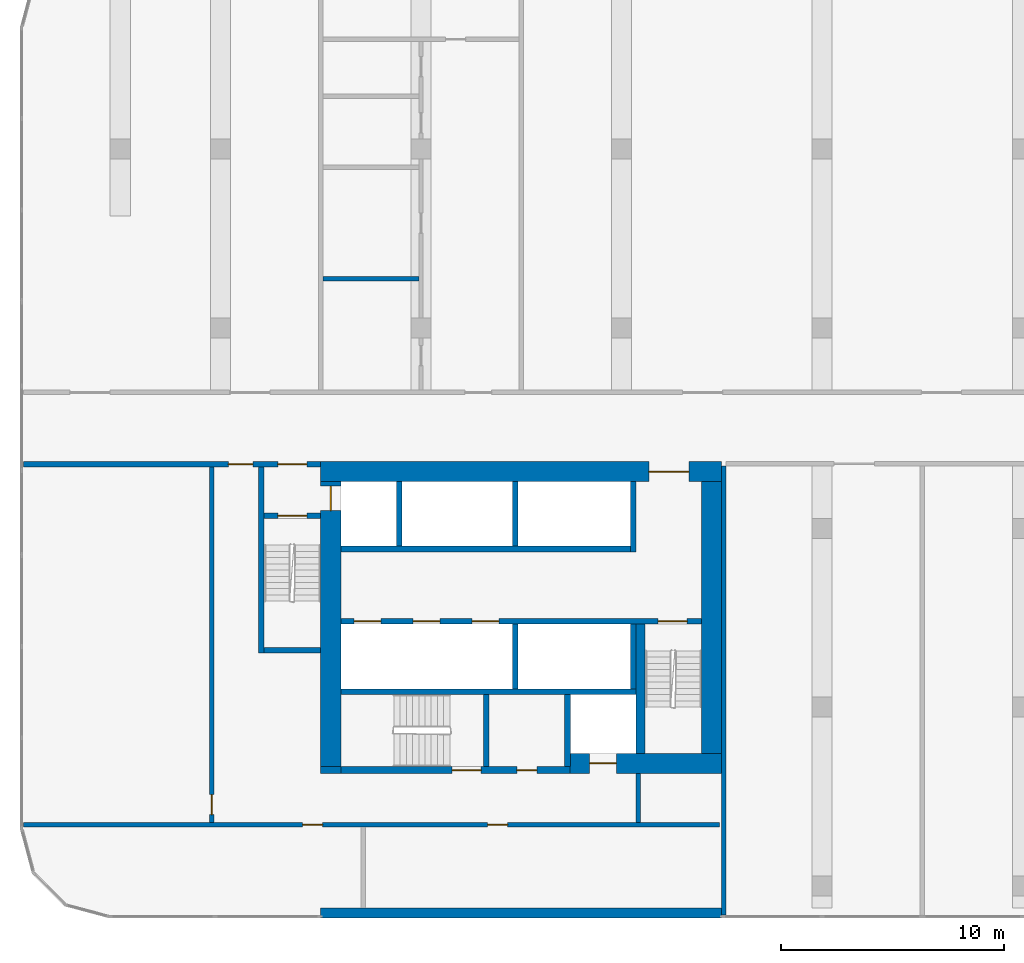
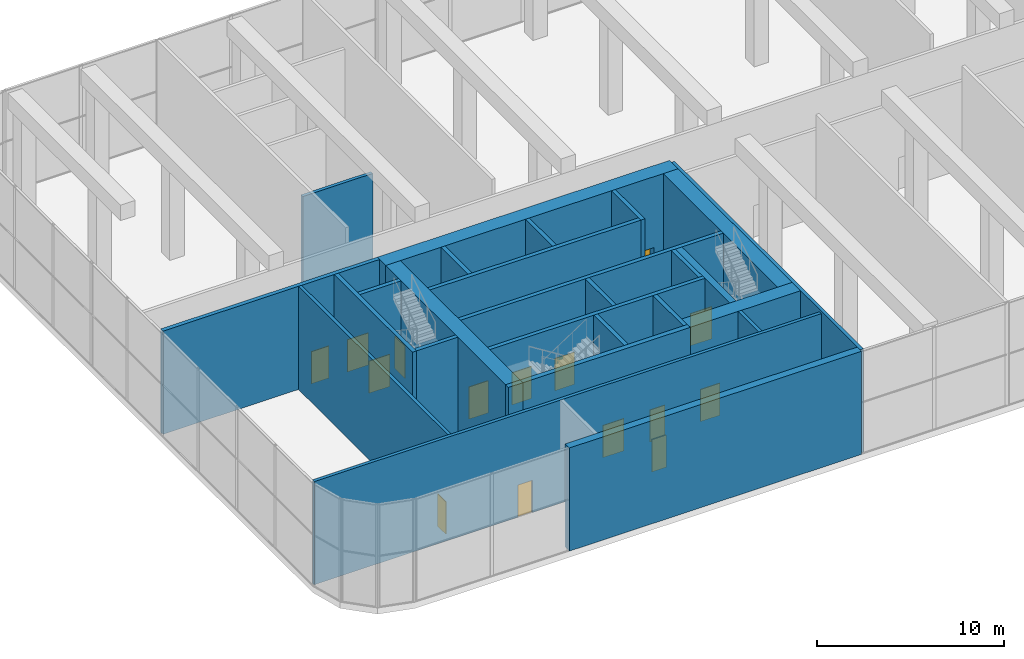
# One storey, part 12 of 23: 27 walls, 15 doors, 15 openings.
"""IFC4 building model written with IfcOpenShell, lengths in metres."""

from ifc_helpers import new_model, si_unit, direction, frame, frame_2d, origin, place, context, subcontext, project, spatial, rectangle, extrude, material, layer, layer_set, type_object, element, fill, save


model = new_model("IFC4")

# Units and contexts
model_context = context("Model", 3, precision=1e-05, world=origin(), true_north=direction((0.0, 1.0)))
body_context = subcontext(model_context, "Body", "Model", "MODEL_VIEW")
ifc_project = project(units=[si_unit("LENGTHUNIT", "METRE"), si_unit("AREAUNIT", "SQUARE_METRE"), si_unit("VOLUMEUNIT", "CUBIC_METRE"), si_unit("PLANEANGLEUNIT", "RADIAN"), si_unit("MASSUNIT", "GRAM", prefix="KILO")], contexts=[model_context])

# Site, building, storey
site_placement = place(None, origin())
site = spatial("IfcSite", under=ifc_project, at=site_placement, CompositionType="ELEMENT")
building_placement = place(site_placement, origin())
building = spatial("IfcBuilding", under=site, at=building_placement, Name="Kajstack Hotel Tower", CompositionType="ELEMENT")
storey_placement = place(building_placement, frame((0.0, 0.0, 53.0)))
storey = spatial("IfcBuildingStorey", under=building, at=storey_placement, Name="L08", CompositionType="ELEMENT", Elevation=53.0)

# Wall, opening, door
ifc_material_1 = material(Name="Concrete C60/75", Category="concrete")
ifc_layer_1 = layer(ifc_material_1, 0.89990234375)
ifc_layer_set_1 = layer_set([ifc_layer_1], Name="Core wall 900")
wall_type_1 = type_object("IfcWallType", Name="Core wall 900", PredefinedType="SHEAR", material=ifc_layer_set_1)
wall_1_placement = place(storey_placement, frame((-31.5, -1.949951171875, 0.0), z_axis=(0.0, 0.0, 1.0), x_axis=(1.0, 0.0, 0.0)))
wall_1 = element("IfcWall", 1, at=wall_1_placement, inside=storey, type_object=wall_type_1, Name="Core wall W RN", PredefinedType="SHEAR", context=body_context, shape_type="SweptSolid", body=[
    extrude(rectangle(XDim=18.0, YDim=0.89990234375, at=frame_2d((9.0, 0.0))), origin(), (0.0, 0.0, 1.0), 6.719970703125),
])
opening_1_placement = place(wall_1_placement, frame((14.72509765625, 0.0, 0.0)))
opening_1 = element("IfcOpeningElement", 2, at=opening_1_placement, cuts=wall_1, Name="Opening 08W06", PredefinedType="OPENING", context=body_context, shape_type="SweptSolid", body=[
    extrude(rectangle(XDim=1.800048828125, YDim=2.10009765625, at=frame_2d((0.89990234375, 1.050048828125))), frame((0.0, 0.4599609375, 0.0), z_axis=(0.0, -1.0, 0.0), x_axis=(1.0, 0.0, 0.0)), (0.0, 0.0, 1.0), 0.919921875),
])
ifc_material_2 = material(Name="Glazed steel frame, fire-rated glass", Category="steel")
door_type_1 = type_object("IfcDoorType", Name="Lobby double door 1800", OperationType="DOUBLE_DOOR_DOUBLE_SWING", PredefinedType="DOOR", material=ifc_material_2)
door_1_placement = place(opening_1_placement, origin())
door_1 = element("IfcDoor", 3, at=door_1_placement, inside=storey, type_object=door_type_1, Name="Door 08W06", OperationType="DOUBLE_DOOR_DOUBLE_SWING", OverallHeight=2.10009765625, OverallWidth=1.800048828125, PredefinedType="DOOR", context=body_context, shape_type="SweptSolid", body=[
    extrude(rectangle(XDim=1.800048828125, YDim=2.10009765625, at=frame_2d((0.89990234375, 1.050048828125))), frame((0.0, 0.02490234375, 0.0), z_axis=(0.0, -1.0, 0.0), x_axis=(1.0, 0.0, 0.0)), (0.0, 0.0, 1.0), 0.050048828125),
])
fill(opening_1, door_1)

wall_2_placement = place(storey_placement, frame((-20.300048828125, -15.050048828125, 0.0), z_axis=(0.0, 0.0, 1.0), x_axis=(1.0, 0.0, 0.0)))
wall_2 = element("IfcWall", 4, at=wall_2_placement, inside=storey, type_object=wall_type_1, Name="Core wall W RS", PredefinedType="SHEAR", context=body_context, shape_type="SweptSolid", body=[
    extrude(rectangle(XDim=6.800048828125, YDim=0.89990234375, at=frame_2d((3.39990234375, 0.0))), origin(), (0.0, 0.0, 1.0), 6.719970703125),
])
opening_2_placement = place(wall_2_placement, frame((0.875, 0.0, 0.0)))
opening_2 = element("IfcOpeningElement", 5, at=opening_2_placement, cuts=wall_2, Name="Opening LD-SV1", PredefinedType="OPENING", context=body_context, shape_type="SweptSolid", body=[
    extrude(rectangle(XDim=1.199951171875, YDim=2.10009765625, at=frame_2d((0.60009765625, 1.050048828125))), frame((0.0, 0.4599609375, 0.0), z_axis=(0.0, -1.0, 0.0), x_axis=(1.0, 0.0, 0.0)), (0.0, 0.0, 1.0), 0.919921875),
])
ifc_material_3 = material(Name="Stainless steel", Category="steel")
door_type_2 = type_object("IfcDoorType", Name="Lift landing door 1200", OperationType="SLIDING_TO_LEFT", PredefinedType="DOOR", material=ifc_material_3)
door_2_placement = place(opening_2_placement, origin())
door_2 = element("IfcDoor", 6, at=door_2_placement, inside=storey, type_object=door_type_2, Name="Landing door SV1", OperationType="SLIDING_TO_LEFT", OverallHeight=2.10009765625, OverallWidth=1.199951171875, PredefinedType="DOOR", context=body_context, shape_type="SweptSolid", body=[
    extrude(rectangle(XDim=1.199951171875, YDim=2.10009765625, at=frame_2d((0.60009765625, 1.050048828125))), frame((0.0, 0.02490234375, 0.0), z_axis=(0.0, -1.0, 0.0), x_axis=(1.0, 0.0, 0.0)), (0.0, 0.0, 1.0), 0.050048828125),
])
fill(opening_2, door_2)

# Wall
wall_3_placement = place(storey_placement, frame((-31.5, -15.35009765625, 0.0), z_axis=(0.0, 0.0, 1.0), x_axis=(1.0, 0.0, 0.0)))
element("IfcWall", 7, at=wall_3_placement, inside=storey, type_object=wall_type_1, Name="Core wall W RSW", PredefinedType="SHEAR", context=body_context, shape_type="SweptSolid", body=[
    extrude(rectangle(XDim=0.89990234375, YDim=0.300048828125, at=frame_2d((0.449951171875, 0.0))), origin(), (0.0, 0.0, 1.0), 6.719970703125),
])

# Wall, opening, door
wall_4_placement = place(storey_placement, frame((-31.050048828125, -15.199951171875, 0.0), z_axis=(0.0, 0.0, 1.0), x_axis=(0.0, 1.0, 0.0)))
wall_4 = element("IfcWall", 8, at=wall_4_placement, inside=storey, type_object=wall_type_1, Name="Core wall W RW", PredefinedType="SHEAR", context=body_context, shape_type="SweptSolid", body=[
    extrude(rectangle(XDim=12.800048828125, YDim=0.89990234375, at=frame_2d((6.39990234375, 0.0))), origin(), (0.0, 0.0, 1.0), 6.719970703125),
])
opening_3_placement = place(wall_4_placement, frame((11.5, 0.0, 0.0)))
opening_3 = element("IfcOpeningElement", 9, at=opening_3_placement, cuts=wall_4, Name="Opening LD-FF1", PredefinedType="OPENING", context=body_context, shape_type="SweptSolid", body=[
    extrude(rectangle(XDim=1.10009765625, YDim=2.10009765625, at=frame_2d((0.550048828125, 1.050048828125))), frame((0.0, 0.4599609375, 0.0), z_axis=(0.0, -1.0, 0.0), x_axis=(1.0, 0.0, 0.0)), (0.0, 0.0, 1.0), 0.919921875),
])
door_type_3 = type_object("IfcDoorType", Name="Fire-fighting lift landing door 1100", OperationType="SLIDING_TO_LEFT", PredefinedType="DOOR", material=ifc_material_3)
door_3_placement = place(opening_3_placement, origin())
door_3 = element("IfcDoor", 10, at=door_3_placement, inside=storey, type_object=door_type_3, Name="Landing door FF1", OperationType="SLIDING_TO_RIGHT", OverallHeight=2.10009765625, OverallWidth=1.10009765625, PredefinedType="DOOR", context=body_context, shape_type="SweptSolid", body=[
    extrude(rectangle(XDim=1.10009765625, YDim=2.10009765625, at=frame_2d((0.550048828125, 1.050048828125))), frame((0.0, 0.02490234375, 0.0), z_axis=(0.0, -1.0, 0.0), x_axis=(1.0, 0.0, 0.0)), (0.0, 0.0, 1.0), 0.050048828125),
])
fill(opening_3, door_3)

# Walls
wall_5_placement = place(storey_placement, frame((-13.949951171875, -14.60009765625, 0.0), z_axis=(0.0, 0.0, 1.0), x_axis=(0.0, 1.0, 0.0)))
element("IfcWall", 11, at=wall_5_placement, inside=storey, type_object=wall_type_1, Name="Core wall W RE", PredefinedType="SHEAR", context=body_context, shape_type="SweptSolid", body=[
    extrude(rectangle(XDim=12.2001953125, YDim=0.89990234375, at=frame_2d((6.10009765625, 0.0))), origin(), (0.0, 0.0, 1.0), 6.719970703125),
])
ifc_material_4 = material(Name="Concrete C40/50", Category="concrete")
ifc_layer_2 = layer(ifc_material_4, 0.449951171875)
ifc_layer_set_2 = layer_set([ifc_layer_2], Name="EW-CORE")
wall_type_2 = type_object("IfcWallType", Name="EW-CORE", PredefinedType="SOLIDWALL", material=ifc_layer_set_2)
wall_6_placement = place(storey_placement, frame((-31.5, -21.77490234375, 0.0), z_axis=(0.0, 0.0, 1.0), x_axis=(1.0, 0.0, 0.0)))
element("IfcWall", 12, at=wall_6_placement, inside=storey, type_object=wall_type_2, Name="E-wall-L08-03-01", PredefinedType="SOLIDWALL", context=body_context, shape_type="SweptSolid", body=[
    extrude(rectangle(XDim=18.0, YDim=0.449951171875, at=frame_2d((9.0, 0.0))), origin(), (0.0, 0.0, 1.0), 6.719970703125),
])
ifc_material_5 = material(Name="Concrete C50/60", Category="concrete")
ifc_layer_3 = layer(ifc_material_5, 0.300048828125)
ifc_layer_set_3 = layer_set([ifc_layer_3], Name="Hoistway divider wall 300")
wall_type_3 = type_object("IfcWallType", Name="Hoistway divider wall 300", PredefinedType="SHEAR", material=ifc_layer_set_3)
wall_7_placement = place(storey_placement, frame((-22.77490234375, -5.300048828125, 0.0), z_axis=(0.0, 0.0, 1.0), x_axis=(0.0, 1.0, 0.0)))
element("IfcWall", 13, at=wall_7_placement, inside=storey, type_object=wall_type_3, Name="Core wall W AP2", PredefinedType="SHEAR", context=body_context, shape_type="SweptSolid", body=[
    extrude(rectangle(XDim=2.900146484375, YDim=0.25, at=frame_2d((1.4501953125, 0.0))), origin(), (0.0, 0.0, 1.0), 6.719970703125),
])
wall_8_placement = place(storey_placement, frame((-22.77490234375, -11.699951171875, 0.0), z_axis=(0.0, 0.0, 1.0), x_axis=(0.0, 1.0, 0.0)))
element("IfcWall", 14, at=wall_8_placement, inside=storey, type_object=wall_type_3, Name="Core wall W BP2", PredefinedType="SHEAR", context=body_context, shape_type="SweptSolid", body=[
    extrude(rectangle(XDim=2.89990234375, YDim=0.25, at=frame_2d((1.449951171875, 0.0))), origin(), (0.0, 0.0, 1.0), 6.719970703125),
])
ifc_material_6 = material(Name="Gypsum board on steel studs, mineral wool", Category="steel")
ifc_layer_4 = layer(ifc_material_6, 0.199951171875)
ifc_layer_set_4 = layer_set([ifc_layer_4], Name="Public partition 200")
wall_type_4 = type_object("IfcWallType", Name="Public partition 200", PredefinedType="PARTITIONING", material=ifc_layer_set_4)
wall_9_placement = place(storey_placement, frame((-31.39990234375, 6.699951171875, 0.0), z_axis=(0.0, 0.0, 1.0), x_axis=(1.0, 0.0, 0.0)))
element("IfcWall", 15, at=wall_9_placement, inside=storey, type_object=wall_type_4, Name="Partition C2wP0", PredefinedType="PARTITIONING", context=body_context, shape_type="SweptSolid", body=[
    extrude(rectangle(XDim=4.2998046875, YDim=0.199951171875, at=frame_2d((2.14990234375, 0.0))), origin(), (0.0, 0.0, 1.0), 5.719970703125),
])
wall_10_placement = place(storey_placement, frame((-13.39990234375, -21.85009765625, 0.0), z_axis=(0.0, 0.0, 1.0), x_axis=(0.0, 1.0, 0.0)))
element("IfcWall", 16, at=wall_10_placement, inside=storey, type_object=wall_type_4, Name="Partition SEW", PredefinedType="PARTITIONING", context=body_context, shape_type="SweptSolid", body=[
    extrude(rectangle(XDim=20.150146484375, YDim=0.199951171875, at=frame_2d((10.0751953125, 0.0))), origin(), (0.0, 0.0, 1.0), 6.719970703125),
])

# Wall, openings, doors
ifc_layer_5 = layer(ifc_material_6, 0.199951171875)
ifc_layer_set_5 = layer_set([ifc_layer_5], Name="Service partition 200")
wall_type_5 = type_object("IfcWallType", Name="Service partition 200", PredefinedType="PARTITIONING", material=ifc_layer_set_5)
wall_11_placement = place(storey_placement, frame((-44.85009765625, -1.625, 0.0), z_axis=(0.0, 0.0, 1.0), x_axis=(1.0, 0.0, 0.0)))
wall_11 = element("IfcWall", 17, at=wall_11_placement, inside=storey, type_object=wall_type_5, Name="Partition W SN", PredefinedType="PARTITIONING", context=body_context, shape_type="SweptSolid", body=[
    extrude(rectangle(XDim=13.35009765625, YDim=0.25, at=frame_2d((6.675048828125, 0.0))), origin(), (0.0, 0.0, 1.0), 6.719970703125),
])
opening_4_placement = place(wall_11_placement, frame((11.425048828125, 0.0, 0.0)))
opening_4 = element("IfcOpeningElement", 18, at=opening_4_placement, cuts=wall_11, Name="Opening 08W07", PredefinedType="OPENING", context=body_context, shape_type="SweptSolid", body=[
    extrude(rectangle(XDim=1.300048828125, YDim=2.10009765625, at=frame_2d((0.64990234375, 1.050048828125))), frame((0.0, 0.135009765625, 0.0), z_axis=(0.0, -1.0, 0.0), x_axis=(1.0, 0.0, 0.0)), (0.0, 0.0, 1.0), 0.27001953125),
])
opening_5_placement = place(wall_11_placement, frame((9.199951171875, 0.0, 0.0)))
opening_5 = element("IfcOpeningElement", 19, at=opening_5_placement, cuts=wall_11, Name="Opening 08W09", PredefinedType="OPENING", context=body_context, shape_type="SweptSolid", body=[
    extrude(rectangle(XDim=1.10009765625, YDim=2.10009765625, at=frame_2d((0.550048828125, 1.050048828125))), frame((0.0, 0.135009765625, 0.0), z_axis=(0.0, -1.0, 0.0), x_axis=(1.0, 0.0, 0.0)), (0.0, 0.0, 1.0), 0.27001953125),
])
ifc_material_7 = material(Name="Steel leaf, fire-rated", Category="steel")
door_type_4 = type_object("IfcDoorType", Name="Fire lobby door 1300", OperationType="SINGLE_SWING_LEFT", PredefinedType="DOOR", material=ifc_material_7)
door_4_placement = place(opening_4_placement, origin())
door_4 = element("IfcDoor", 20, at=door_4_placement, inside=storey, type_object=door_type_4, Name="Door 08W07", OperationType="SINGLE_SWING_RIGHT", OverallHeight=2.10009765625, OverallWidth=1.300048828125, PredefinedType="DOOR", context=body_context, shape_type="SweptSolid", body=[
    extrude(rectangle(XDim=1.300048828125, YDim=2.10009765625, at=frame_2d((0.64990234375, 1.050048828125))), frame((0.0, 0.02490234375, 0.0), z_axis=(0.0, -1.0, 0.0), x_axis=(1.0, 0.0, 0.0)), (0.0, 0.0, 1.0), 0.050048828125),
])
fill(opening_4, door_4)
ifc_material_8 = material(Name="Timber leaf, fire-rated", Category="wood")
door_type_5 = type_object("IfcDoorType", Name="Service corridor door 1100", OperationType="SINGLE_SWING_LEFT", PredefinedType="DOOR", material=ifc_material_8)
door_5_placement = place(opening_5_placement, origin())
door_5 = element("IfcDoor", 21, at=door_5_placement, inside=storey, type_object=door_type_5, Name="Door 08W09", OperationType="SINGLE_SWING_RIGHT", OverallHeight=2.10009765625, OverallWidth=1.10009765625, PredefinedType="DOOR", context=body_context, shape_type="SweptSolid", body=[
    extrude(rectangle(XDim=1.10009765625, YDim=2.10009765625, at=frame_2d((0.550048828125, 1.050048828125))), frame((0.0, 0.02490234375, 0.0), z_axis=(0.0, -1.0, 0.0), x_axis=(1.0, 0.0, 0.0)), (0.0, 0.0, 1.0), 0.050048828125),
])
fill(opening_5, door_5)

# Wall
wall_12_placement = place(storey_placement, frame((-17.25, -17.699951171875, 0.0), z_axis=(0.0, 0.0, 1.0), x_axis=(0.0, 1.0, 0.0)))
element("IfcWall", 22, at=wall_12_placement, inside=storey, type_object=wall_type_5, Name="Partition W SCE", PredefinedType="PARTITIONING", context=body_context, shape_type="SweptSolid", body=[
    extrude(rectangle(XDim=2.199951171875, YDim=0.199951171875, at=frame_2d((1.10009765625, 0.0))), origin(), (0.0, 0.0, 1.0), 6.719970703125),
])

# Wall, opening, door
wall_13_placement = place(storey_placement, frame((-36.39990234375, -17.699951171875, 0.0), z_axis=(0.0, 0.0, 1.0), x_axis=(0.0, 1.0, 0.0)))
wall_13 = element("IfcWall", 23, at=wall_13_placement, inside=storey, type_object=wall_type_5, Name="Partition W WRE", PredefinedType="PARTITIONING", context=body_context, shape_type="SweptSolid", body=[
    extrude(rectangle(XDim=15.949951171875, YDim=0.199951171875, at=frame_2d((7.97509765625, 0.0))), origin(), (0.0, 0.0, 1.0), 6.719970703125),
])
opening_6_placement = place(wall_13_placement, frame((0.35009765625, 0.0, 0.0)))
opening_6 = element("IfcOpeningElement", 24, at=opening_6_placement, cuts=wall_13, Name="Opening 08W15", PredefinedType="OPENING", context=body_context, shape_type="SweptSolid", body=[
    extrude(rectangle(XDim=0.89990234375, YDim=2.10009765625, at=frame_2d((0.449951171875, 1.050048828125))), frame((0.0, 0.10986328125, 0.0), z_axis=(0.0, -1.0, 0.0), x_axis=(1.0, 0.0, 0.0)), (0.0, 0.0, 1.0), 0.219970703125),
])
door_type_6 = type_object("IfcDoorType", Name="Service door 900", OperationType="SINGLE_SWING_LEFT", PredefinedType="DOOR", material=ifc_material_8)
door_6_placement = place(opening_6_placement, origin())
door_6 = element("IfcDoor", 25, at=door_6_placement, inside=storey, type_object=door_type_6, Name="Door 08W15", OperationType="SINGLE_SWING_LEFT", OverallHeight=2.10009765625, OverallWidth=0.89990234375, PredefinedType="DOOR", context=body_context, shape_type="SweptSolid", body=[
    extrude(rectangle(XDim=0.89990234375, YDim=2.10009765625, at=frame_2d((0.449951171875, 1.050048828125))), frame((0.0, 0.02490234375, 0.0), z_axis=(0.0, -1.0, 0.0), x_axis=(1.0, 0.0, 0.0)), (0.0, 0.0, 1.0), 0.050048828125),
])
fill(opening_6, door_6)

# Wall, openings, doors
wall_14_placement = place(storey_placement, frame((-44.85009765625, -17.800048828125, 0.0), z_axis=(0.0, 0.0, 1.0), x_axis=(1.0, 0.0, 0.0)))
wall_14 = element("IfcWall", 26, at=wall_14_placement, inside=storey, type_object=wall_type_5, Name="Partition W SLN", PredefinedType="PARTITIONING", context=body_context, shape_type="SweptSolid", body=[
    extrude(rectangle(XDim=31.25, YDim=0.199951171875, at=frame_2d((15.625, 0.0))), origin(), (0.0, 0.0, 1.0), 6.719970703125),
])
opening_7_placement = place(wall_14_placement, frame((12.53759765625, 0.0, 0.0)))
opening_7 = element("IfcOpeningElement", 27, at=opening_7_placement, cuts=wall_14, Name="Opening 08W13", PredefinedType="OPENING", context=body_context, shape_type="SweptSolid", body=[
    extrude(rectangle(XDim=0.89990234375, YDim=2.10009765625, at=frame_2d((0.449951171875, 1.050048828125))), frame((0.0, 0.10986328125, 0.0), z_axis=(0.0, -1.0, 0.0), x_axis=(1.0, 0.0, 0.0)), (0.0, 0.0, 1.0), 0.219970703125),
])
opening_8_placement = place(wall_14_placement, frame((20.83740234375, 0.0, 0.0)))
opening_8 = element("IfcOpeningElement", 28, at=opening_8_placement, cuts=wall_14, Name="Opening 08W14", PredefinedType="OPENING", context=body_context, shape_type="SweptSolid", body=[
    extrude(rectangle(XDim=0.89990234375, YDim=2.10009765625, at=frame_2d((0.449951171875, 1.050048828125))), frame((0.0, 0.10986328125, 0.0), z_axis=(0.0, -1.0, 0.0), x_axis=(1.0, 0.0, 0.0)), (0.0, 0.0, 1.0), 0.219970703125),
])
door_7_placement = place(opening_7_placement, origin())
door_7 = element("IfcDoor", 29, at=door_7_placement, inside=storey, type_object=door_type_6, Name="Door 08W13", OperationType="SINGLE_SWING_RIGHT", OverallHeight=2.10009765625, OverallWidth=0.89990234375, PredefinedType="DOOR", context=body_context, shape_type="SweptSolid", body=[
    extrude(rectangle(XDim=0.89990234375, YDim=2.10009765625, at=frame_2d((0.449951171875, 1.050048828125))), frame((0.0, 0.02490234375, 0.0), z_axis=(0.0, -1.0, 0.0), x_axis=(1.0, 0.0, 0.0)), (0.0, 0.0, 1.0), 0.050048828125),
])
fill(opening_7, door_7)
door_8_placement = place(opening_8_placement, origin())
door_8 = element("IfcDoor", 30, at=door_8_placement, inside=storey, type_object=door_type_6, Name="Door 08W14", OperationType="SINGLE_SWING_RIGHT", OverallHeight=2.10009765625, OverallWidth=0.89990234375, PredefinedType="DOOR", context=body_context, shape_type="SweptSolid", body=[
    extrude(rectangle(XDim=0.89990234375, YDim=2.10009765625, at=frame_2d((0.449951171875, 1.050048828125))), frame((0.0, 0.02490234375, 0.0), z_axis=(0.0, -1.0, 0.0), x_axis=(1.0, 0.0, 0.0)), (0.0, 0.0, 1.0), 0.050048828125),
])
fill(opening_8, door_8)

ifc_layer_6 = layer(ifc_material_5, 0.25)
ifc_layer_set_6 = layer_set([ifc_layer_6], Name="Shaft wall 250")
wall_type_6 = type_object("IfcWallType", Name="Shaft wall 250", PredefinedType="SHEAR", material=ifc_layer_set_6)
wall_15_placement = place(storey_placement, frame((-30.60009765625, -15.35009765625, 0.0), z_axis=(0.0, 0.0, 1.0), x_axis=(1.0, 0.0, 0.0)))
wall_15 = element("IfcWall", 31, at=wall_15_placement, inside=storey, type_object=wall_type_6, Name="Core wall W RSS", PredefinedType="SHEAR", context=body_context, shape_type="SweptSolid", body=[
    extrude(rectangle(XDim=10.300048828125, YDim=0.300048828125, at=frame_2d((5.14990234375, 0.0))), origin(), (0.0, 0.0, 1.0), 6.719970703125),
])
opening_9_placement = place(wall_15_placement, frame((5.0, 0.0, 0.0)))
opening_9 = element("IfcOpeningElement", 32, at=opening_9_placement, cuts=wall_15, Name="Opening 08W11", PredefinedType="OPENING", context=body_context, shape_type="SweptSolid", body=[
    extrude(rectangle(XDim=1.300048828125, YDim=2.10009765625, at=frame_2d((0.64990234375, 1.050048828125))), frame((0.0, 0.159912109375, 0.0), z_axis=(0.0, -1.0, 0.0), x_axis=(1.0, 0.0, 0.0)), (0.0, 0.0, 1.0), 0.320068359375),
])
opening_10_placement = place(wall_15_placement, frame((7.89990234375, 0.0, 0.0)))
opening_10 = element("IfcOpeningElement", 33, at=opening_10_placement, cuts=wall_15, Name="Opening 08W12", PredefinedType="OPENING", context=body_context, shape_type="SweptSolid", body=[
    extrude(rectangle(XDim=0.89990234375, YDim=2.10009765625, at=frame_2d((0.449951171875, 1.050048828125))), frame((0.0, 0.159912109375, 0.0), z_axis=(0.0, -1.0, 0.0), x_axis=(1.0, 0.0, 0.0)), (0.0, 0.0, 1.0), 0.320068359375),
])
door_9_placement = place(opening_10_placement, origin())
door_9 = element("IfcDoor", 34, at=door_9_placement, inside=storey, type_object=door_type_6, Name="Door 08W12", OperationType="SINGLE_SWING_LEFT", OverallHeight=2.10009765625, OverallWidth=0.89990234375, PredefinedType="DOOR", context=body_context, shape_type="SweptSolid", body=[
    extrude(rectangle(XDim=0.89990234375, YDim=2.10009765625, at=frame_2d((0.449951171875, 1.050048828125))), frame((0.0, 0.02490234375, 0.0), z_axis=(0.0, -1.0, 0.0), x_axis=(1.0, 0.0, 0.0)), (0.0, 0.0, 1.0), 0.050048828125),
])
fill(opening_10, door_9)
door_type_7 = type_object("IfcDoorType", Name="Stair door 1300", OperationType="SINGLE_SWING_LEFT", PredefinedType="DOOR", material=ifc_material_7)
door_10_placement = place(opening_9_placement, origin())
door_10 = element("IfcDoor", 35, at=door_10_placement, inside=storey, type_object=door_type_7, Name="Door 08W11", OperationType="SINGLE_SWING_RIGHT", OverallHeight=2.10009765625, OverallWidth=1.300048828125, PredefinedType="DOOR", context=body_context, shape_type="SweptSolid", body=[
    extrude(rectangle(XDim=1.300048828125, YDim=2.10009765625, at=frame_2d((0.64990234375, 1.050048828125))), frame((0.0, 0.02490234375, 0.0), z_axis=(0.0, -1.0, 0.0), x_axis=(1.0, 0.0, 0.0)), (0.0, 0.0, 1.0), 0.050048828125),
])
fill(opening_9, door_10)

# Walls
wall_16_placement = place(storey_placement, frame((-30.60009765625, -5.425048828125, 0.0), z_axis=(0.0, 0.0, 1.0), x_axis=(1.0, 0.0, 0.0)))
element("IfcWall", 36, at=wall_16_placement, inside=storey, type_object=wall_type_6, Name="Core wall W FA", PredefinedType="SHEAR", context=body_context, shape_type="SweptSolid", body=[
    extrude(rectangle(XDim=13.0, YDim=0.25, at=frame_2d((6.5, 0.0))), origin(), (0.0, 0.0, 1.0), 6.719970703125),
])
wall_17_placement = place(storey_placement, frame((-17.47509765625, -5.550048828125, 0.0), z_axis=(0.0, 0.0, 1.0), x_axis=(0.0, 1.0, 0.0)))
element("IfcWall", 37, at=wall_17_placement, inside=storey, type_object=wall_type_6, Name="Core wall W AE", PredefinedType="SHEAR", context=body_context, shape_type="SweptSolid", body=[
    extrude(rectangle(XDim=3.150146484375, YDim=0.25, at=frame_2d((1.5751953125, 0.0))), origin(), (0.0, 0.0, 1.0), 6.719970703125),
])
wall_18_placement = place(storey_placement, frame((-27.97509765625, -5.300048828125, 0.0), z_axis=(0.0, 0.0, 1.0), x_axis=(0.0, 1.0, 0.0)))
element("IfcWall", 38, at=wall_18_placement, inside=storey, type_object=wall_type_6, Name="Core wall W AP0", PredefinedType="SHEAR", context=body_context, shape_type="SweptSolid", body=[
    extrude(rectangle(XDim=2.900146484375, YDim=0.25, at=frame_2d((1.4501953125, 0.0))), origin(), (0.0, 0.0, 1.0), 6.719970703125),
])

# Wall, openings, doors
wall_19_placement = place(storey_placement, frame((-30.60009765625, -8.675048828125, 0.0), z_axis=(0.0, 0.0, 1.0), x_axis=(1.0, 0.0, 0.0)))
wall_19 = element("IfcWall", 39, at=wall_19_placement, inside=storey, type_object=wall_type_6, Name="Core wall W FB", PredefinedType="SHEAR", context=body_context, shape_type="SweptSolid", body=[
    extrude(rectangle(XDim=16.2001953125, YDim=0.25, at=frame_2d((8.10009765625, 0.0))), origin(), (0.0, 0.0, 1.0), 6.719970703125),
])
opening_11_placement = place(wall_19_placement, frame((0.60009765625, 0.0, 0.0)))
opening_11 = element("IfcOpeningElement", 40, at=opening_11_placement, cuts=wall_19, Name="Opening LD-LR1", PredefinedType="OPENING", context=body_context, shape_type="SweptSolid", body=[
    extrude(rectangle(XDim=1.199951171875, YDim=2.10009765625, at=frame_2d((0.60009765625, 1.050048828125))), frame((0.0, 0.135009765625, 0.0), z_axis=(0.0, -1.0, 0.0), x_axis=(1.0, 0.0, 0.0)), (0.0, 0.0, 1.0), 0.27001953125),
])
opening_12_placement = place(wall_19_placement, frame((3.25, 0.0, 0.0)))
opening_12 = element("IfcOpeningElement", 41, at=opening_12_placement, cuts=wall_19, Name="Opening LD-LR2", PredefinedType="OPENING", context=body_context, shape_type="SweptSolid", body=[
    extrude(rectangle(XDim=1.199951171875, YDim=2.10009765625, at=frame_2d((0.60009765625, 1.050048828125))), frame((0.0, 0.135009765625, 0.0), z_axis=(0.0, -1.0, 0.0), x_axis=(1.0, 0.0, 0.0)), (0.0, 0.0, 1.0), 0.27001953125),
])
opening_13_placement = place(wall_19_placement, frame((5.89990234375, 0.0, 0.0)))
opening_13 = element("IfcOpeningElement", 42, at=opening_13_placement, cuts=wall_19, Name="Opening LD-LR3", PredefinedType="OPENING", context=body_context, shape_type="SweptSolid", body=[
    extrude(rectangle(XDim=1.199951171875, YDim=2.10009765625, at=frame_2d((0.60009765625, 1.050048828125))), frame((0.0, 0.135009765625, 0.0), z_axis=(0.0, -1.0, 0.0), x_axis=(1.0, 0.0, 0.0)), (0.0, 0.0, 1.0), 0.27001953125),
])
opening_14_placement = place(wall_19_placement, frame((14.25, 0.0, 0.0)))
opening_14 = element("IfcOpeningElement", 43, at=opening_14_placement, cuts=wall_19, Name="Opening 08W10", PredefinedType="OPENING", context=body_context, shape_type="SweptSolid", body=[
    extrude(rectangle(XDim=1.300048828125, YDim=2.10009765625, at=frame_2d((0.64990234375, 1.050048828125))), frame((0.0, 0.135009765625, 0.0), z_axis=(0.0, -1.0, 0.0), x_axis=(1.0, 0.0, 0.0)), (0.0, 0.0, 1.0), 0.27001953125),
])
door_11_placement = place(opening_11_placement, origin())
door_11 = element("IfcDoor", 44, at=door_11_placement, inside=storey, type_object=door_type_2, Name="Landing door LR1", OperationType="SLIDING_TO_LEFT", OverallHeight=2.10009765625, OverallWidth=1.199951171875, PredefinedType="DOOR", context=body_context, shape_type="SweptSolid", body=[
    extrude(rectangle(XDim=1.199951171875, YDim=2.10009765625, at=frame_2d((0.60009765625, 1.050048828125))), frame((0.0, 0.02490234375, 0.0), z_axis=(0.0, -1.0, 0.0), x_axis=(1.0, 0.0, 0.0)), (0.0, 0.0, 1.0), 0.050048828125),
])
fill(opening_11, door_11)
door_12_placement = place(opening_12_placement, origin())
door_12 = element("IfcDoor", 45, at=door_12_placement, inside=storey, type_object=door_type_2, Name="Landing door LR2", OperationType="SLIDING_TO_RIGHT", OverallHeight=2.10009765625, OverallWidth=1.199951171875, PredefinedType="DOOR", context=body_context, shape_type="SweptSolid", body=[
    extrude(rectangle(XDim=1.199951171875, YDim=2.10009765625, at=frame_2d((0.60009765625, 1.050048828125))), frame((0.0, 0.02490234375, 0.0), z_axis=(0.0, -1.0, 0.0), x_axis=(1.0, 0.0, 0.0)), (0.0, 0.0, 1.0), 0.050048828125),
])
fill(opening_12, door_12)
door_13_placement = place(opening_13_placement, origin())
door_13 = element("IfcDoor", 46, at=door_13_placement, inside=storey, type_object=door_type_2, Name="Landing door LR3", OperationType="SLIDING_TO_RIGHT", OverallHeight=2.10009765625, OverallWidth=1.199951171875, PredefinedType="DOOR", context=body_context, shape_type="SweptSolid", body=[
    extrude(rectangle(XDim=1.199951171875, YDim=2.10009765625, at=frame_2d((0.60009765625, 1.050048828125))), frame((0.0, 0.02490234375, 0.0), z_axis=(0.0, -1.0, 0.0), x_axis=(1.0, 0.0, 0.0)), (0.0, 0.0, 1.0), 0.050048828125),
])
fill(opening_13, door_13)
door_14_placement = place(opening_14_placement, origin())
door_14 = element("IfcDoor", 47, at=door_14_placement, inside=storey, type_object=door_type_7, Name="Door 08W10", OperationType="SINGLE_SWING_RIGHT", OverallHeight=2.10009765625, OverallWidth=1.300048828125, PredefinedType="DOOR", context=body_context, shape_type="SweptSolid", body=[
    extrude(rectangle(XDim=1.300048828125, YDim=2.10009765625, at=frame_2d((0.64990234375, 1.050048828125))), frame((0.0, 0.02490234375, 0.0), z_axis=(0.0, -1.0, 0.0), x_axis=(1.0, 0.0, 0.0)), (0.0, 0.0, 1.0), 0.050048828125),
])
fill(opening_14, door_14)

# Walls
wall_20_placement = place(storey_placement, frame((-30.60009765625, -11.824951171875, 0.0), z_axis=(0.0, 0.0, 1.0), x_axis=(1.0, 0.0, 0.0)))
element("IfcWall", 48, at=wall_20_placement, inside=storey, type_object=wall_type_6, Name="Core wall W RB", PredefinedType="SHEAR", context=body_context, shape_type="SweptSolid", body=[
    extrude(rectangle(XDim=13.25, YDim=0.25, at=frame_2d((6.625, 0.0))), origin(), (0.0, 0.0, 1.0), 6.719970703125),
])
wall_21_placement = place(storey_placement, frame((-17.47509765625, -11.699951171875, 0.0), z_axis=(0.0, 0.0, 1.0), x_axis=(0.0, 1.0, 0.0)))
element("IfcWall", 49, at=wall_21_placement, inside=storey, type_object=wall_type_6, Name="Core wall W BE", PredefinedType="SHEAR", context=body_context, shape_type="SweptSolid", body=[
    extrude(rectangle(XDim=2.89990234375, YDim=0.25, at=frame_2d((1.449951171875, 0.0))), origin(), (0.0, 0.0, 1.0), 6.719970703125),
])
wall_22_placement = place(storey_placement, frame((-20.425048828125, -15.199951171875, 0.0), z_axis=(0.0, 0.0, 1.0), x_axis=(0.0, 1.0, 0.0)))
element("IfcWall", 50, at=wall_22_placement, inside=storey, type_object=wall_type_6, Name="Core wall W SVW", PredefinedType="SHEAR", context=body_context, shape_type="SweptSolid", body=[
    extrude(rectangle(XDim=3.25, YDim=0.25, at=frame_2d((1.625, 0.0))), origin(), (0.0, 0.0, 1.0), 6.719970703125),
])

# Wall, opening, door
ifc_layer_7 = layer(ifc_material_4, 0.25)
ifc_layer_set_7 = layer_set([ifc_layer_7], Name="Stair enclosure wall 250")
wall_type_7 = type_object("IfcWallType", Name="Stair enclosure wall 250", PredefinedType="SHEAR", material=ifc_layer_set_7)
wall_23_placement = place(storey_placement, frame((-34.050048828125, -3.925048828125, 0.0), z_axis=(0.0, 0.0, 1.0), x_axis=(1.0, 0.0, 0.0)))
wall_23 = element("IfcWall", 51, at=wall_23_placement, inside=storey, type_object=wall_type_7, Name="Core wall W W1N", PredefinedType="SHEAR", context=body_context, shape_type="SweptSolid", body=[
    extrude(rectangle(XDim=2.550048828125, YDim=0.25, at=frame_2d((1.27490234375, 0.0))), origin(), (0.0, 0.0, 1.0), 6.719970703125),
])
opening_15_placement = place(wall_23_placement, frame((0.625, 0.0, 0.0)))
opening_15 = element("IfcOpeningElement", 52, at=opening_15_placement, cuts=wall_23, Name="Opening 08W08", PredefinedType="OPENING", context=body_context, shape_type="SweptSolid", body=[
    extrude(rectangle(XDim=1.300048828125, YDim=2.10009765625, at=frame_2d((0.64990234375, 1.050048828125))), frame((0.0, 0.135009765625, 0.0), z_axis=(0.0, -1.0, 0.0), x_axis=(1.0, 0.0, 0.0)), (0.0, 0.0, 1.0), 0.27001953125),
])
door_15_placement = place(opening_15_placement, origin())
door_15 = element("IfcDoor", 53, at=door_15_placement, inside=storey, type_object=door_type_7, Name="Door 08W08", OperationType="SINGLE_SWING_RIGHT", OverallHeight=2.10009765625, OverallWidth=1.300048828125, PredefinedType="DOOR", context=body_context, shape_type="SweptSolid", body=[
    extrude(rectangle(XDim=1.300048828125, YDim=2.10009765625, at=frame_2d((0.64990234375, 1.050048828125))), frame((0.0, 0.02490234375, 0.0), z_axis=(0.0, -1.0, 0.0), x_axis=(1.0, 0.0, 0.0)), (0.0, 0.0, 1.0), 0.050048828125),
])
fill(opening_15, door_15)

# Walls
wall_24_placement = place(storey_placement, frame((-34.175048828125, -10.10009765625, 0.0), z_axis=(0.0, 0.0, 1.0), x_axis=(0.0, 1.0, 0.0)))
element("IfcWall", 54, at=wall_24_placement, inside=storey, type_object=wall_type_7, Name="Core wall W W1W", PredefinedType="SHEAR", context=body_context, shape_type="SweptSolid", body=[
    extrude(rectangle(XDim=8.35009765625, YDim=0.25, at=frame_2d((4.175048828125, 0.0))), origin(), (0.0, 0.0, 1.0), 6.719970703125),
])
wall_25_placement = place(storey_placement, frame((-34.050048828125, -9.97509765625, 0.0), z_axis=(0.0, 0.0, 1.0), x_axis=(1.0, 0.0, 0.0)))
element("IfcWall", 55, at=wall_25_placement, inside=storey, type_object=wall_type_7, Name="Core wall W W1S", PredefinedType="SHEAR", context=body_context, shape_type="SweptSolid", body=[
    extrude(rectangle(XDim=2.550048828125, YDim=0.25, at=frame_2d((1.27490234375, 0.0))), origin(), (0.0, 0.0, 1.0), 6.719970703125),
])
ifc_layer_8 = layer(ifc_material_5, 0.35009765625)
ifc_layer_set_8 = layer_set([ifc_layer_8], Name="Stair enclosure wall 350")
wall_type_8 = type_object("IfcWallType", Name="Stair enclosure wall 350", PredefinedType="SHEAR", material=ifc_layer_set_8)
wall_26_placement = place(storey_placement, frame((-24.074951171875, -15.199951171875, 0.0), z_axis=(0.0, 0.0, 1.0), x_axis=(0.0, 1.0, 0.0)))
element("IfcWall", 56, at=wall_26_placement, inside=storey, type_object=wall_type_8, Name="Core wall W W3E", PredefinedType="SHEAR", context=body_context, shape_type="SweptSolid", body=[
    extrude(rectangle(XDim=3.25, YDim=0.25, at=frame_2d((1.625, 0.0))), origin(), (0.0, 0.0, 1.0), 6.719970703125),
])
ifc_layer_9 = layer(ifc_material_5, 0.39990234375)
ifc_layer_set_9 = layer_set([ifc_layer_9], Name="Stair wall 400")
wall_type_9 = type_object("IfcWallType", Name="Stair wall 400", PredefinedType="SHEAR", material=ifc_layer_set_9)
wall_27_placement = place(storey_placement, frame((-17.14990234375, -14.60009765625, 0.0), z_axis=(0.0, 0.0, 1.0), x_axis=(0.0, 1.0, 0.0)))
element("IfcWall", 57, at=wall_27_placement, inside=storey, type_object=wall_type_9, Name="Core wall W WW2", PredefinedType="SHEAR", context=body_context, shape_type="SweptSolid", body=[
    extrude(rectangle(XDim=5.800048828125, YDim=0.39990234375, at=frame_2d((2.89990234375, 0.0))), origin(), (0.0, 0.0, 1.0), 6.719970703125),
])

save(model, "model.ifc")
